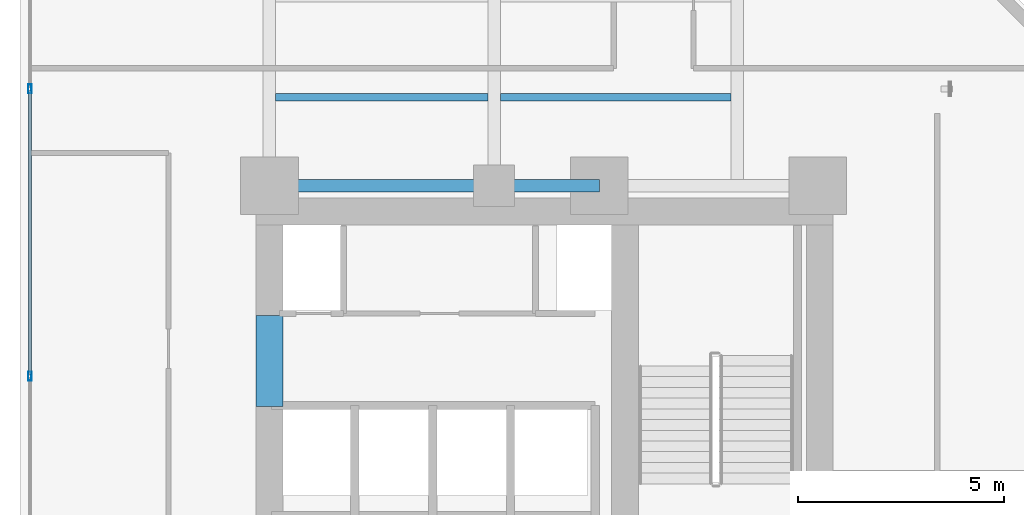
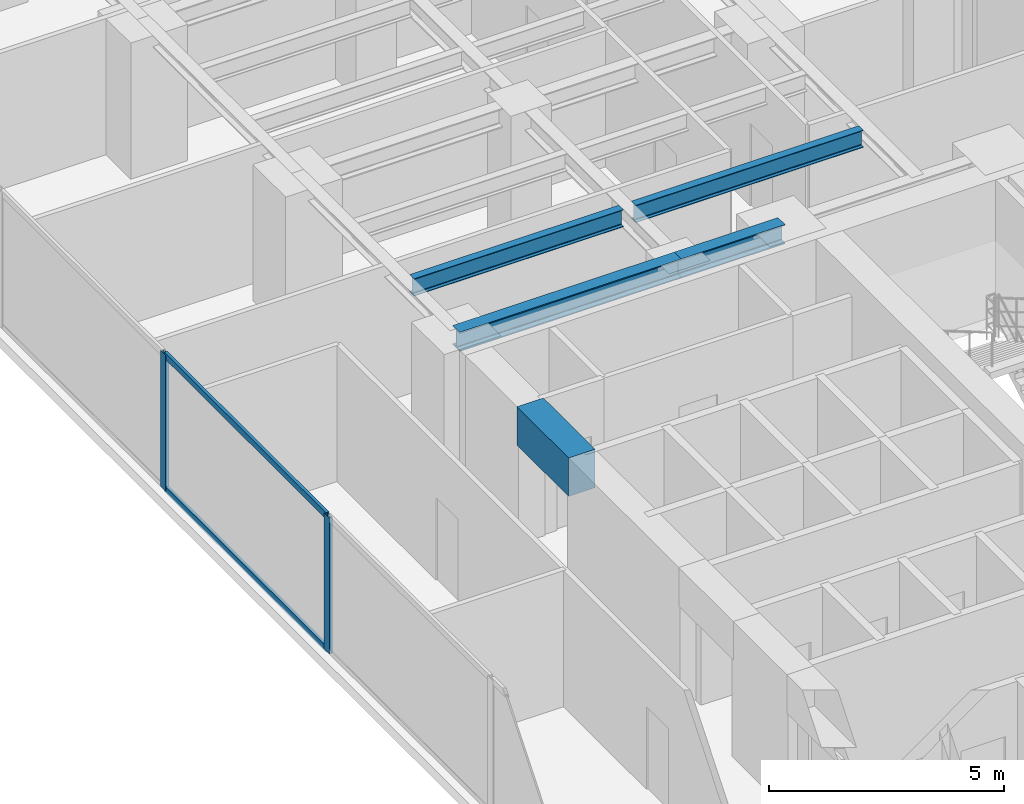
# One storey, part 6 of 24: 5 beams, 4 members, 1 element without a shape of its own.
"""IFC4 building model written with IfcOpenShell, lengths in metres."""

from ifc_helpers import new_model, si_unit, direction, frame, origin, origin_with_axes, origin_2d, place, context, subcontext, project, spatial, rectangle, hollow_rectangle, i_section, extrude, source, transform, mapped, material, layer, layer_set, material_profile, profile_set, type_object, element, aggregate, save


model = new_model("IFC4")

# Units and contexts
model_context = context("Model", 3, precision=1e-05, world=origin(), true_north=direction((0.0, 1.0)))
body_context = subcontext(model_context, "Body", "Model", "MODEL_VIEW")
ifc_project = project(units=[si_unit("LENGTHUNIT", "METRE"), si_unit("AREAUNIT", "SQUARE_METRE"), si_unit("VOLUMEUNIT", "CUBIC_METRE"), si_unit("PLANEANGLEUNIT", "RADIAN"), si_unit("MASSUNIT", "GRAM", prefix="KILO")], contexts=[model_context])

# Site, building, storey
site_placement = place(None, origin())
site = spatial("IfcSite", under=ifc_project, at=site_placement, CompositionType="ELEMENT")
building_placement = place(site_placement, origin())
building = spatial("IfcBuilding", under=site, at=building_placement, Name="Kolvaren Waterfront Exchange", CompositionType="ELEMENT")
storey_placement = place(building_placement, frame((0.0, 0.0, 91.699951171875)))
storey = spatial("IfcBuildingStorey", under=building, at=storey_placement, Name="L23", CompositionType="ELEMENT", Elevation=91.699951171875)

# Beams
ifc_material_1 = material(Name="Steel S355", Category="steel")
ifc_material_profile_1 = material_profile(ifc_material_1, i_section(OverallWidth=0.300048828125, OverallDepth=0.5, WebThickness=0.014404296875, FlangeThickness=0.028076171875, FilletRadius=0.027099609375, at=origin_2d()), Name="HEB500")
ifc_profile_set_1 = profile_set([ifc_material_profile_1], Name="Steel S355")
beam_type_1 = type_object("IfcBeamType", Name="STR-BM-HEB500", PredefinedType="BEAM", material=ifc_profile_set_1)
beam_1_placement = place(storey_placement, frame((7.449951171875, 24.449951171875, 3.2900390625), z_axis=(1.0, 0.0, 0.0), x_axis=(0.0, 1.0, 0.0)))
element("IfcBeam", 1, at=beam_1_placement, inside=storey, type_object=beam_type_1, Name="L23 north-arm girder 1A", PredefinedType="BEAM", context=body_context, shape_type="SweptSolid", body=[
    extrude(i_section(OverallWidth=0.300048828125, OverallDepth=0.5, WebThickness=0.014404296875, FlangeThickness=0.028076171875, FilletRadius=0.027099609375, at=origin_2d()), origin(), (0.0, 0.0, 1.0), 5.449951171875),
])
beam_2_placement = place(storey_placement, frame((12.89990234375, 24.449951171875, 3.2900390625), z_axis=(1.0, 0.0, 0.0), x_axis=(0.0, 1.0, 0.0)))
element("IfcBeam", 2, at=beam_2_placement, inside=storey, type_object=beam_type_1, Name="L23 north-arm girder 1B", PredefinedType="BEAM", context=body_context, shape_type="SweptSolid", body=[
    extrude(i_section(OverallWidth=0.300048828125, OverallDepth=0.5, WebThickness=0.014404296875, FlangeThickness=0.028076171875, FilletRadius=0.027099609375, at=origin_2d()), origin(), (0.0, 0.0, 1.0), 2.550048828125),
])
ifc_material_profile_2 = material_profile(ifc_material_1, i_section(OverallWidth=0.18994140625, OverallDepth=0.449951171875, WebThickness=0.009521484375, FlangeThickness=0.0146484375, FilletRadius=0.02099609375, at=origin_2d()), Name="IPE450")
ifc_profile_set_2 = profile_set([ifc_material_profile_2], Name="Steel S355")
beam_type_2 = type_object("IfcBeamType", Name="STR-BM-IPE450", PredefinedType="JOIST", material=ifc_profile_set_2)
beam_3_placement = place(storey_placement, frame((7.60205078125, 26.60009765625, 3.31494140625), z_axis=(1.0, 0.0, 0.0), x_axis=(0.0, 1.0, 0.0)))
element("IfcBeam", 3, at=beam_3_placement, inside=storey, type_object=beam_type_2, Name="L23 north-arm composite joist 1A", PredefinedType="JOIST", context=body_context, shape_type="SweptSolid", body=[
    extrude(i_section(OverallWidth=0.18994140625, OverallDepth=0.449951171875, WebThickness=0.009521484375, FlangeThickness=0.0146484375, FilletRadius=0.02099609375, at=origin_2d()), origin(), (0.0, 0.0, 1.0), 5.14599609375),
])
beam_4_placement = place(storey_placement, frame((13.052001953125, 26.60009765625, 3.31494140625), z_axis=(1.0, 0.0, 0.0), x_axis=(0.0, 1.0, 0.0)))
element("IfcBeam", 4, at=beam_4_placement, inside=storey, type_object=beam_type_2, Name="L23 north-arm composite joist 1B", PredefinedType="JOIST", context=body_context, shape_type="SweptSolid", body=[
    extrude(i_section(OverallWidth=0.18994140625, OverallDepth=0.449951171875, WebThickness=0.009521484375, FlangeThickness=0.0146484375, FilletRadius=0.02099609375, at=origin_2d()), origin(), (0.0, 0.0, 1.0), 5.595947265625),
])
ifc_material_2 = material(Name="Concrete C60/75", Category="concrete")
ifc_material_profile_3 = material_profile(ifc_material_2, rectangle(XDim=0.64990234375, YDim=1.0, at=origin_2d()), Name="RC-CB-1000x650")
ifc_profile_set_3 = profile_set([ifc_material_profile_3], Name="Concrete C60/75")
beam_type_3 = type_object("IfcBeamType", Name="STR-CB-1000", PredefinedType="SPANDREL", material=ifc_profile_set_3)
beam_5_placement = place(storey_placement, frame((7.449951171875, 19.10009765625, 3.0400390625), z_axis=(0.0, 1.0, 0.0), x_axis=(-1.0, 0.0, 0.0)))
element("IfcBeam", 5, at=beam_5_placement, inside=storey, type_object=beam_type_3, Name="L23 core coupling beam 5", PredefinedType="SPANDREL", context=body_context, shape_type="SweptSolid", body=[
    extrude(rectangle(XDim=0.64990234375, YDim=1.0, at=origin_2d()), origin(), (0.0, 0.0, 1.0), 2.199951171875),
])

# Curtain wall, members
ifc_material_3 = material(Name="Anodised aluminium 6063-T6", Category="aluminium")
ifc_layer = layer(ifc_material_3, 0.219970703125, Name="Anodised aluminium 6063-T6")
ifc_layer_set = layer_set([ifc_layer], Name="Anodised aluminium 6063-T6")
curtain_wall_type = type_object("IfcCurtainWallType", Name="ARC-CW-SYS2", PredefinedType="USERDEFINED", material=ifc_layer_set)
curtain_wall_placement = place(storey_placement, origin())
curtain_wall = element("IfcCurtainWall", 6, at=curtain_wall_placement, inside=storey, type_object=curtain_wall_type, Name="L23 stick curtain wall CW2 (CW-L23-W)", ObjectType="STICK CURTAIN WALL", PredefinedType="USERDEFINED")
ifc_material_profile_4 = material_profile(ifc_material_3, hollow_rectangle(XDim=0.080078125, YDim=0.219970703125, WallThickness=0.0048828125, at=origin_2d()), Name="ALU-MUL-220x80x5")
ifc_profile_set_4 = profile_set([ifc_material_profile_4], Name="Anodised aluminium 6063-T6")
member_type_1 = type_object("IfcMemberType", Name="ARC-CWM-220", PredefinedType="MULLION", material=ifc_profile_set_4)
shared_shape_1 = source(origin_with_axes(), body_context, "Body", "SweptSolid", [
    extrude(hollow_rectangle(XDim=0.080078125, YDim=0.219970703125, WallThickness=0.0048828125, at=origin_2d()), origin(), (0.0, 0.0, 1.0), 3.5400390625),
])
member_1_placement = place(storey_placement, frame((1.639892578125, 19.833251953125, 0.0), z_axis=(0.0, 0.0, 1.0), x_axis=(-1.0, 0.0, 0.0)))
member_1 = element("IfcMember", 7, at=member_1_placement, type_object=member_type_1, Name="CW2 mullion 3", PredefinedType="MULLION", context=body_context, shape_type="MappedRepresentation", body=[
    mapped(shared_shape_1, transform((0.0, 0.0, 0.0), x_axis=(1.0, 0.0, 0.0), y_axis=(0.0, 1.0, 0.0), z_axis=(0.0, 0.0, 1.0), scale=1.0)),
])
member_2_placement = place(storey_placement, frame((1.639892578125, 26.800048828125, 0.0), z_axis=(0.0, 0.0, 1.0), x_axis=(-1.0, 0.0, 0.0)))
member_2 = element("IfcMember", 8, at=member_2_placement, type_object=member_type_1, Name="CW2 mullion 4", PredefinedType="MULLION", context=body_context, shape_type="MappedRepresentation", body=[
    mapped(shared_shape_1, transform((0.0, 0.0, 0.0), x_axis=(1.0, 0.0, 0.0), y_axis=(0.0, 1.0, 0.0), z_axis=(0.0, 0.0, 1.0), scale=1.0)),
])
ifc_material_profile_5 = material_profile(ifc_material_3, hollow_rectangle(XDim=0.074951171875, YDim=0.159912109375, WallThickness=0.00439453125, at=origin_2d()), Name="ALU-TRN-160x75x4.5")
ifc_profile_set_5 = profile_set([ifc_material_profile_5], Name="Anodised aluminium 6063-T6")
member_type_2 = type_object("IfcMemberType", Name="ARC-CWT-160", PredefinedType="USERDEFINED", material=ifc_profile_set_5)
shared_shape_2 = source(origin_with_axes(), body_context, "Body", "SweptSolid", [
    extrude(hollow_rectangle(XDim=0.074951171875, YDim=0.159912109375, WallThickness=0.00439453125, at=origin_2d()), origin(), (0.0, 0.0, 1.0), 6.88671875),
])
member_3_placement = place(storey_placement, frame((1.639892578125, 19.873291015625, 0.03759765625), z_axis=(0.0, 1.0, 0.0), x_axis=(-1.0, 0.0, 0.0)))
member_3 = element("IfcMember", 9, at=member_3_placement, type_object=member_type_2, Name="CW2 transom 3.1", ObjectType="TRANSOM", PredefinedType="USERDEFINED", context=body_context, shape_type="MappedRepresentation", body=[
    mapped(shared_shape_2, transform((0.0, 0.0, 0.0), x_axis=(1.0, 0.0, 0.0), y_axis=(0.0, 1.0, 0.0), z_axis=(0.0, 0.0, 1.0), scale=1.0)),
])
member_4_placement = place(storey_placement, frame((1.639892578125, 19.873291015625, 3.50244140625), z_axis=(0.0, 1.0, 0.0), x_axis=(-1.0, 0.0, 0.0)))
member_4 = element("IfcMember", 10, at=member_4_placement, type_object=member_type_2, Name="CW2 transom 3.2", ObjectType="TRANSOM", PredefinedType="USERDEFINED", context=body_context, shape_type="MappedRepresentation", body=[
    mapped(shared_shape_2, transform((0.0, 0.0, 0.0), x_axis=(1.0, 0.0, 0.0), y_axis=(0.0, 1.0, 0.0), z_axis=(0.0, 0.0, 1.0), scale=1.0)),
])
aggregate(curtain_wall, [member_1, member_2, member_3, member_4])

save(model, "model.ifc")
